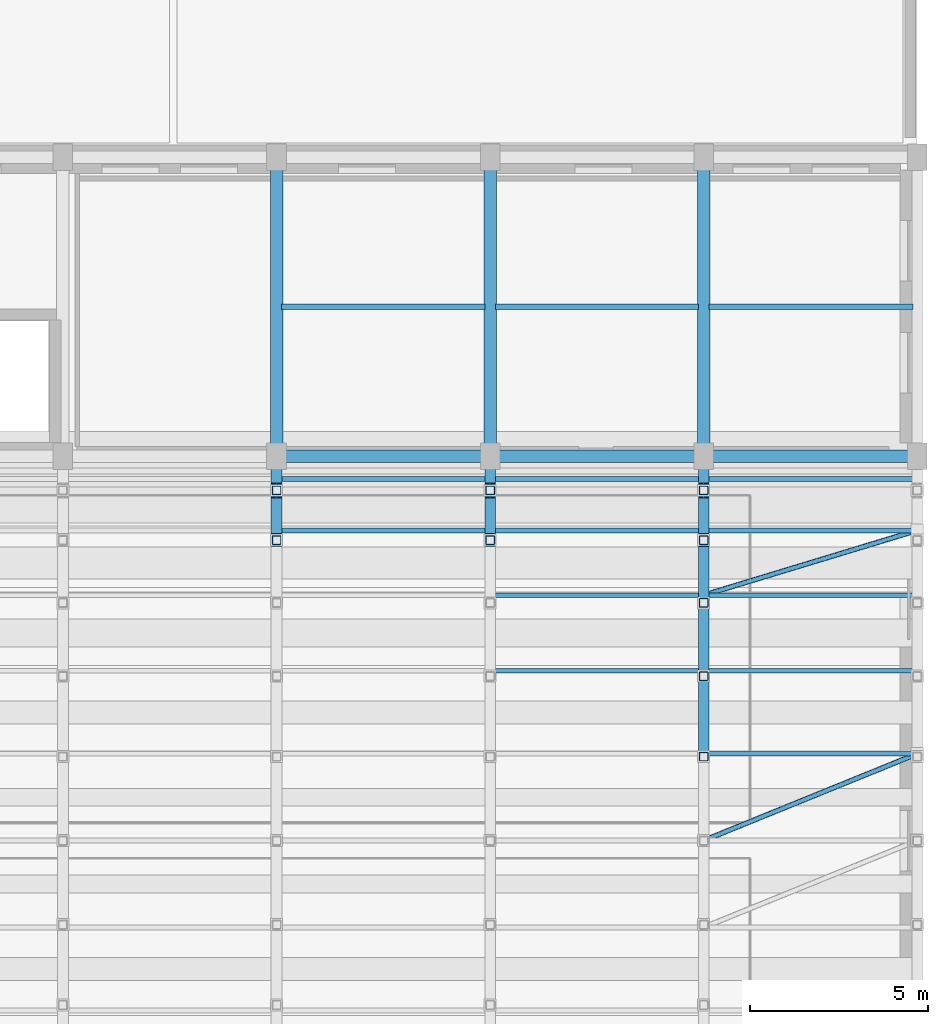
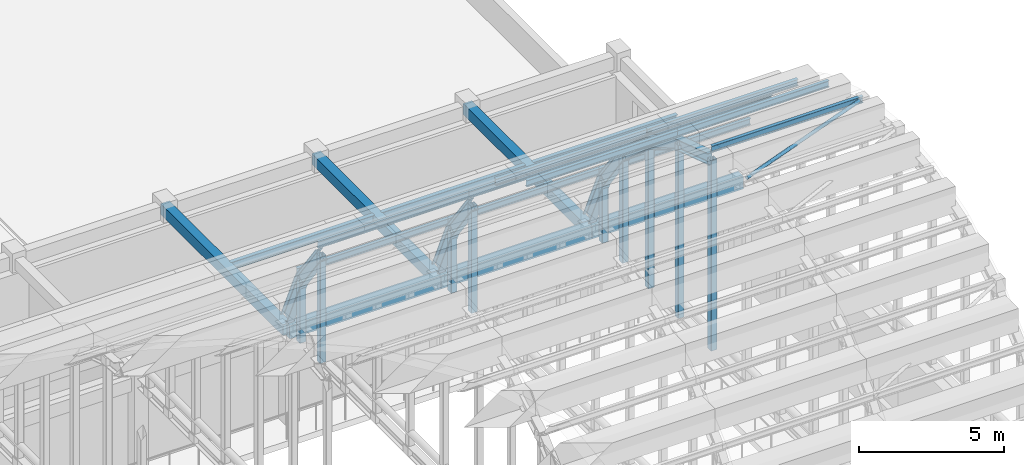
# One storey, part 10 of 46: 22 members, 18 beams.
"""IFC4 building model written with IfcOpenShell, lengths in metres."""

from ifc_helpers import new_model, si_unit, direction, frame, origin, origin_2d, place, context, subcontext, project, spatial, rectangle, hollow_rectangle, hollow_circle, i_section, extrude, material, material_profile, profile_set, type_object, element, save


model = new_model("IFC4")

# Units and contexts
model_context = context("Model", 3, precision=1e-05, world=origin(), true_north=direction((0.0, 1.0)))
body_context = subcontext(model_context, "Body", "Model", "MODEL_VIEW")
ifc_project = project(units=[si_unit("LENGTHUNIT", "METRE"), si_unit("AREAUNIT", "SQUARE_METRE"), si_unit("VOLUMEUNIT", "CUBIC_METRE"), si_unit("PLANEANGLEUNIT", "RADIAN"), si_unit("MASSUNIT", "GRAM", prefix="KILO")], contexts=[model_context])

# Site, building, storey
site_placement = place(None, origin())
site = spatial("IfcSite", under=ifc_project, at=site_placement, CompositionType="ELEMENT")
building_placement = place(site_placement, origin())
building = spatial("IfcBuilding", under=site, at=building_placement, Name="Tarnavel Promenade Courthouse", CompositionType="ELEMENT")
storey_placement = place(building_placement, frame((0.0, 0.0, 14.39990234375)))
storey = spatial("IfcBuildingStorey", under=building, at=storey_placement, Name="L04", CompositionType="ELEMENT", Elevation=14.39990234375)

# Beams
ifc_material_1 = material(Name="Concrete C40/50", Category="concrete")
ifc_material_profile_1 = material_profile(ifc_material_1, rectangle(XDim=0.35009765625, YDim=0.449951171875, at=origin_2d()), Name="RC 350x450")
ifc_profile_set_1 = profile_set([ifc_material_profile_1], Name="Concrete C40/50")
beam_type_1 = type_object("IfcBeamType", Name="Concrete C40/50 BM-RC-350x450 (RC 350x450)", PredefinedType="BEAM", material=ifc_profile_set_1)
for number, where, z_axis, x_axis, name in (
    (1, (144.0, 58.800048828125, 3.72998046875), (0.0, 1.0, 0.0), (-1.0, 0.0, 0.0), "L04 Transverse Girder 2126"),
    (2, (150.0, 58.800048828125, 3.72998046875), (0.0, 1.0, 0.0), (-1.0, 0.0, 0.0), "L04 Transverse Girder 2128"),
    (3, (156.0, 58.800048828125, 3.72998046875), (0.0, 1.0, 0.0), (-1.0, 0.0, 0.0), "L04 Transverse Girder 2130"),
):
    element("IfcBeam", number, at=place(storey_placement, frame(where, z_axis=z_axis, x_axis=x_axis)), inside=storey, type_object=beam_type_1, Name=name, PredefinedType="BEAM", context=body_context, shape_type="SweptSolid", body=[
        extrude(rectangle(XDim=0.35009765625, YDim=0.449951171875, at=origin_2d()), origin(), (0.0, 0.0, 1.0), 8.39990234375),
    ])
ifc_material_profile_2 = material_profile(ifc_material_1, rectangle(XDim=0.35009765625, YDim=0.550048828125, at=origin_2d()), Name="RC 350x550")
ifc_profile_set_2 = profile_set([ifc_material_profile_2], Name="Concrete C40/50")
beam_type_2 = type_object("IfcBeamType", Name="Concrete C40/50 BM-RC-350x550 (RC 350x550)", PredefinedType="BEAM", material=ifc_profile_set_2)
for number, where, z_axis, x_axis, name in (
    (4, (144.0, 58.800048828125, 3.68017578125), (1.0, 0.0, 0.0), (0.0, 1.0, 0.0), "L04 Primary Longitudinal Beam 2008"),
    (5, (150.0, 58.800048828125, 3.68017578125), (1.0, 0.0, 0.0), (0.0, 1.0, 0.0), "L04 Primary Longitudinal Beam 2009"),
    (6, (156.0, 58.800048828125, 3.68017578125), (1.0, 0.0, 0.0), (0.0, 1.0, 0.0), "L04 Primary Longitudinal Beam 2010"),
):
    element("IfcBeam", number, at=place(storey_placement, frame(where, z_axis=z_axis, x_axis=x_axis)), inside=storey, type_object=beam_type_2, Name=name, PredefinedType="BEAM", context=body_context, shape_type="SweptSolid", body=[
        extrude(rectangle(XDim=0.35009765625, YDim=0.550048828125, at=origin_2d()), origin(), (0.0, 0.0, 1.0), 6.0),
    ])
ifc_material_2 = material(Name="Steel S355J2", Category="steel")
ifc_material_profile_3 = material_profile(ifc_material_2, i_section(OverallWidth=0.300048828125, OverallDepth=0.449951171875, WebThickness=0.013916015625, FlangeThickness=0.02587890625, FilletRadius=0.027099609375, at=origin_2d()), Name="HEB 450")
ifc_profile_set_3 = profile_set([ifc_material_profile_3], Name="Steel S355J2")
beam_type_3 = type_object("IfcBeamType", Name="Steel S355J2 BM-AR-HEB450 (HEB 450)", PredefinedType="T_BEAM", material=ifc_profile_set_3)
for number, where, z_axis, x_axis, name in (
    (7, (144.0, 56.43994140625, 8.291015625), (0.0, 0.587523453946, -0.809207137304), (-1.0, 0.0, 0.0), "V1 Barrel Vault Arch Rib 05 Chord 11"),
    (8, (144.0, 57.8349609375, 6.36962890625), (0.0, 0.406453266448, -0.91367157239), (-1.0, 0.0, 0.0), "V1 Barrel Vault Arch Rib 05 Chord 12"),
    (9, (150.0, 56.43994140625, 8.291015625), (0.0, 0.587523453946, -0.809207137304), (-1.0, 0.0, 0.0), "V1 Barrel Vault Arch Rib 06 Chord 11"),
    (10, (150.0, 57.8349609375, 6.36962890625), (0.0, 0.406453266448, -0.91367157239), (-1.0, 0.0, 0.0), "V1 Barrel Vault Arch Rib 06 Chord 12"),
    (11, (156.0, 50.361328125, 11.8017578125), (0.0, 0.951041624123, -0.309062824012), (-1.0, 0.0, 0.0), "V1 Barrel Vault Arch Rib 07 Chord 08"),
    (12, (156.0, 52.61962890625, 11.06787109375), (0.0, 0.86595611672, -0.500119989518), (-1.0, 0.0, 0.0), "V1 Barrel Vault Arch Rib 07 Chord 09"),
    (13, (156.0, 54.67578125, 9.88037109375), (0.0, 0.742956629711, -0.669339559842), (-1.0, 0.0, 0.0), "V1 Barrel Vault Arch Rib 07 Chord 10"),
    (14, (156.0, 56.43994140625, 8.291015625), (0.0, 0.587523453946, -0.809207137304), (-1.0, 0.0, 0.0), "V1 Barrel Vault Arch Rib 07 Chord 11"),
    (15, (156.0, 57.8349609375, 6.36962890625), (0.0, 0.406453266448, -0.91367157239), (-1.0, 0.0, 0.0), "V1 Barrel Vault Arch Rib 07 Chord 12"),
):
    element("IfcBeam", number, at=place(storey_placement, frame(where, z_axis=z_axis, x_axis=x_axis)), inside=storey, type_object=beam_type_3, Name=name, PredefinedType="T_BEAM", context=body_context, shape_type="SweptSolid", body=[
        extrude(i_section(OverallWidth=0.300048828125, OverallDepth=0.449951171875, WebThickness=0.013916015625, FlangeThickness=0.02587890625, FilletRadius=0.027099609375, at=origin_2d()), origin(), (0.0, 0.0, 1.0), 2.37451171875),
    ])
ifc_material_profile_4 = material_profile(ifc_material_2, i_section(OverallWidth=0.159912109375, OverallDepth=0.330078125, WebThickness=0.007568359375, FlangeThickness=0.011474609375, FilletRadius=0.01806640625, at=origin_2d()), Name="IPE 330")
ifc_profile_set_4 = profile_set([ifc_material_profile_4], Name="Steel S355J2")
beam_type_4 = type_object("IfcBeamType", Name="Steel S355J2 BM-ST-IPE330 (IPE 330)", PredefinedType="JOIST", material=ifc_profile_set_4)
for number, where, z_axis, x_axis, name in (
    (16, (144.14501953125, 63.0, 3.7900390625), (1.0, 0.0, 0.0), (0.0, 1.0, 0.0), "L04 Secondary Floor Rib 2202"),
    (17, (150.14501953125, 63.0, 3.7900390625), (1.0, 0.0, 0.0), (0.0, 1.0, 0.0), "L04 Secondary Floor Rib 2203"),
):
    element("IfcBeam", number, at=place(storey_placement, frame(where, z_axis=z_axis, x_axis=x_axis)), inside=storey, type_object=beam_type_4, Name=name, PredefinedType="JOIST", context=body_context, shape_type="SweptSolid", body=[
        extrude(i_section(OverallWidth=0.159912109375, OverallDepth=0.330078125, WebThickness=0.007568359375, FlangeThickness=0.011474609375, FilletRadius=0.01806640625, at=origin_2d()), origin(), (0.0, 0.0, 1.0), 5.7099609375),
    ])
beam_placement = place(storey_placement, frame((156.14501953125, 63.0, 3.7900390625), z_axis=(1.0, 0.0, 0.0), x_axis=(0.0, 1.0, 0.0)))
element("IfcBeam", 18, at=beam_placement, inside=storey, type_object=beam_type_4, Name="L04 Secondary Floor Rib 2204", PredefinedType="JOIST", context=body_context, shape_type="SweptSolid", body=[
    extrude(i_section(OverallWidth=0.159912109375, OverallDepth=0.330078125, WebThickness=0.007568359375, FlangeThickness=0.011474609375, FilletRadius=0.01806640625, at=origin_2d()), origin(), (0.0, 0.0, 1.0), 5.73486328125),
])

# Members
ifc_material_profile_5 = material_profile(ifc_material_2, hollow_circle(Radius=0.06982421875, WallThickness=0.008056640625, at=origin_2d()), Name="CHS 139.7x8")
ifc_profile_set_5 = profile_set([ifc_material_profile_5], Name="Steel S355J2")
member_type_1 = type_object("IfcMemberType", Name="Steel S355J2 MEM-BR-CHS140 (CHS 139.7x8)", PredefinedType="BRACE", material=ifc_profile_set_5)
member_1_placement = place(storey_placement, frame((156.0, 48.0, 12.420166015625), z_axis=(0.925700122117, 0.376184321828, -0.039555529618), x_axis=(-0.376478964134, 0.926425166737, 0.0)))
element("IfcMember", 19, at=member_1_placement, inside=storey, type_object=member_type_1, Name="V1 Barrel Vault Roof Brace 07-06", PredefinedType="BRACE", context=body_context, shape_type="SweptSolid", body=[
    extrude(hollow_circle(Radius=0.06982421875, WallThickness=0.008056640625, at=origin_2d()), origin(), (0.0, 0.0, 1.0), 6.3017578125),
])
member_2_placement = place(storey_placement, frame((156.0, 54.893310546875, 10.179443359375), z_axis=(0.925695313139, 0.281068458115, -0.253157478825), x_axis=(-0.290532531252, 0.95686511499, 0.0)))
element("IfcMember", 20, at=member_2_placement, inside=storey, type_object=member_type_1, Name="V1 Barrel Vault Roof Brace 07-09", PredefinedType="BRACE", context=body_context, shape_type="SweptSolid", body=[
    extrude(hollow_circle(Radius=0.06982421875, WallThickness=0.008056640625, at=origin_2d()), origin(), (0.0, 0.0, 1.0), 6.481689453125),
])
ifc_material_profile_6 = material_profile(ifc_material_2, i_section(OverallWidth=0.135009765625, OverallDepth=0.27001953125, WebThickness=0.006591796875, FlangeThickness=0.01025390625, FilletRadius=0.014892578125, at=origin_2d()), Name="IPE 270")
ifc_profile_set_6 = profile_set([ifc_material_profile_6], Name="Steel S355J2")
member_type_2 = type_object("IfcMemberType", Name="Steel S355J2 MEM-PUR-IPE270 (IPE 270)", PredefinedType="PURLIN", material=ifc_profile_set_6)
for number, where, z_axis, x_axis, name in (
    (21, (144.0, 56.715087890625, 8.53857421875), (1.0, 0.0, 0.0), (0.0, 1.0, 0.0), "V1 Barrel Vault Purlin 05-10"),
    (22, (144.0, 58.155517578125, 6.554443359375), (1.0, 0.0, 0.0), (0.0, 1.0, 0.0), "V1 Barrel Vault Purlin 05-11"),
    (23, (150.0, 52.770263671875, 11.40576171875), (1.0, 0.0, 0.0), (0.0, 1.0, 0.0), "V1 Barrel Vault Purlin 06-08"),
    (24, (150.0, 54.893310546875, 10.179443359375), (1.0, 0.0, 0.0), (0.0, 1.0, 0.0), "V1 Barrel Vault Purlin 06-09"),
    (25, (150.0, 56.715087890625, 8.53857421875), (1.0, 0.0, 0.0), (0.0, 1.0, 0.0), "V1 Barrel Vault Purlin 06-10"),
    (26, (150.0, 58.155517578125, 6.554443359375), (1.0, 0.0, 0.0), (0.0, 1.0, 0.0), "V1 Barrel Vault Purlin 06-11"),
    (27, (156.0, 50.4384765625, 12.163818359375), (1.0, 0.0, 0.0), (0.0, 1.0, 0.0), "V1 Barrel Vault Purlin 07-07"),
    (28, (156.0, 52.770263671875, 11.40576171875), (1.0, 0.0, 0.0), (0.0, 1.0, 0.0), "V1 Barrel Vault Purlin 07-08"),
    (29, (156.0, 54.893310546875, 10.179443359375), (1.0, 0.0, 0.0), (0.0, 1.0, 0.0), "V1 Barrel Vault Purlin 07-09"),
    (30, (156.0, 56.715087890625, 8.53857421875), (1.0, 0.0, 0.0), (0.0, 1.0, 0.0), "V1 Barrel Vault Purlin 07-10"),
    (31, (156.0, 58.155517578125, 6.554443359375), (1.0, 0.0, 0.0), (0.0, 1.0, 0.0), "V1 Barrel Vault Purlin 07-11"),
):
    element("IfcMember", number, at=place(storey_placement, frame(where, z_axis=z_axis, x_axis=x_axis)), inside=storey, type_object=member_type_2, Name=name, PredefinedType="PURLIN", context=body_context, shape_type="SweptSolid", body=[
        extrude(i_section(OverallWidth=0.135009765625, OverallDepth=0.27001953125, WebThickness=0.006591796875, FlangeThickness=0.01025390625, FilletRadius=0.014892578125, at=origin_2d()), origin(), (0.0, 0.0, 1.0), 6.0),
    ])
ifc_material_profile_7 = material_profile(ifc_material_2, hollow_rectangle(XDim=0.25, YDim=0.25, WallThickness=0.012451171875, InnerFilletRadius=0.012451171875, OuterFilletRadius=0.02490234375, at=origin_2d()), Name="SHS 250x250x12.5")
ifc_profile_set_7 = profile_set([ifc_material_profile_7], Name="Steel S355J2")
member_type_3 = type_object("IfcMemberType", Name="Steel S355J2 MEM-STR-SHS250 (SHS 250x250x12.5)", PredefinedType="STRUT", material=ifc_profile_set_7)
member_3_placement = place(storey_placement, frame((144.0, 56.43994140625, 3.820068359375), z_axis=(0.0, 0.0, 1.0), x_axis=(1.0, 0.0, 0.0)))
element("IfcMember", 32, at=member_3_placement, inside=storey, type_object=member_type_3, Name="V1 Vault Arch Web Strut 05-10", PredefinedType="STRUT", context=body_context, shape_type="SweptSolid", body=[
    extrude(hollow_rectangle(XDim=0.25, YDim=0.25, WallThickness=0.012451171875, InnerFilletRadius=0.012451171875, OuterFilletRadius=0.02490234375, at=origin_2d()), origin(), (0.0, 0.0, 1.0), 4.470947265625),
])
member_4_placement = place(storey_placement, frame((144.0, 57.8349609375, 3.820068359375), z_axis=(0.0, 0.0, 1.0), x_axis=(1.0, 0.0, 0.0)))
element("IfcMember", 33, at=member_4_placement, inside=storey, type_object=member_type_3, Name="V1 Vault Arch Web Strut 05-11", PredefinedType="STRUT", context=body_context, shape_type="SweptSolid", body=[
    extrude(hollow_rectangle(XDim=0.25, YDim=0.25, WallThickness=0.012451171875, InnerFilletRadius=0.012451171875, OuterFilletRadius=0.02490234375, at=origin_2d()), origin(), (0.0, 0.0, 1.0), 2.549560546875),
])
member_5_placement = place(storey_placement, frame((150.0, 56.43994140625, 3.820068359375), z_axis=(0.0, 0.0, 1.0), x_axis=(1.0, 0.0, 0.0)))
element("IfcMember", 34, at=member_5_placement, inside=storey, type_object=member_type_3, Name="V1 Vault Arch Web Strut 06-10", PredefinedType="STRUT", context=body_context, shape_type="SweptSolid", body=[
    extrude(hollow_rectangle(XDim=0.25, YDim=0.25, WallThickness=0.012451171875, InnerFilletRadius=0.012451171875, OuterFilletRadius=0.02490234375, at=origin_2d()), origin(), (0.0, 0.0, 1.0), 4.470947265625),
])
member_6_placement = place(storey_placement, frame((150.0, 57.8349609375, 3.820068359375), z_axis=(0.0, 0.0, 1.0), x_axis=(1.0, 0.0, 0.0)))
element("IfcMember", 35, at=member_6_placement, inside=storey, type_object=member_type_3, Name="V1 Vault Arch Web Strut 06-11", PredefinedType="STRUT", context=body_context, shape_type="SweptSolid", body=[
    extrude(hollow_rectangle(XDim=0.25, YDim=0.25, WallThickness=0.012451171875, InnerFilletRadius=0.012451171875, OuterFilletRadius=0.02490234375, at=origin_2d()), origin(), (0.0, 0.0, 1.0), 2.549560546875),
])
member_7_placement = place(storey_placement, frame((156.0, 50.361328125, 3.820068359375), z_axis=(0.0, 0.0, 1.0), x_axis=(1.0, 0.0, 0.0)))
element("IfcMember", 36, at=member_7_placement, inside=storey, type_object=member_type_3, Name="V1 Vault Arch Web Strut 07-07", PredefinedType="STRUT", context=body_context, shape_type="SweptSolid", body=[
    extrude(hollow_rectangle(XDim=0.25, YDim=0.25, WallThickness=0.012451171875, InnerFilletRadius=0.012451171875, OuterFilletRadius=0.02490234375, at=origin_2d()), origin(), (0.0, 0.0, 1.0), 7.981689453125),
])
member_8_placement = place(storey_placement, frame((156.0, 52.61962890625, 3.820068359375), z_axis=(0.0, 0.0, 1.0), x_axis=(1.0, 0.0, 0.0)))
element("IfcMember", 37, at=member_8_placement, inside=storey, type_object=member_type_3, Name="V1 Vault Arch Web Strut 07-08", PredefinedType="STRUT", context=body_context, shape_type="SweptSolid", body=[
    extrude(hollow_rectangle(XDim=0.25, YDim=0.25, WallThickness=0.012451171875, InnerFilletRadius=0.012451171875, OuterFilletRadius=0.02490234375, at=origin_2d()), origin(), (0.0, 0.0, 1.0), 7.247802734375),
])
member_9_placement = place(storey_placement, frame((156.0, 54.67578125, 3.820068359375), z_axis=(0.0, 0.0, 1.0), x_axis=(1.0, 0.0, 0.0)))
element("IfcMember", 38, at=member_9_placement, inside=storey, type_object=member_type_3, Name="V1 Vault Arch Web Strut 07-09", PredefinedType="STRUT", context=body_context, shape_type="SweptSolid", body=[
    extrude(hollow_rectangle(XDim=0.25, YDim=0.25, WallThickness=0.012451171875, InnerFilletRadius=0.012451171875, OuterFilletRadius=0.02490234375, at=origin_2d()), origin(), (0.0, 0.0, 1.0), 6.060302734375),
])
member_10_placement = place(storey_placement, frame((156.0, 56.43994140625, 3.820068359375), z_axis=(0.0, 0.0, 1.0), x_axis=(1.0, 0.0, 0.0)))
element("IfcMember", 39, at=member_10_placement, inside=storey, type_object=member_type_3, Name="V1 Vault Arch Web Strut 07-10", PredefinedType="STRUT", context=body_context, shape_type="SweptSolid", body=[
    extrude(hollow_rectangle(XDim=0.25, YDim=0.25, WallThickness=0.012451171875, InnerFilletRadius=0.012451171875, OuterFilletRadius=0.02490234375, at=origin_2d()), origin(), (0.0, 0.0, 1.0), 4.470947265625),
])
member_11_placement = place(storey_placement, frame((156.0, 57.8349609375, 3.820068359375), z_axis=(0.0, 0.0, 1.0), x_axis=(1.0, 0.0, 0.0)))
element("IfcMember", 40, at=member_11_placement, inside=storey, type_object=member_type_3, Name="V1 Vault Arch Web Strut 07-11", PredefinedType="STRUT", context=body_context, shape_type="SweptSolid", body=[
    extrude(hollow_rectangle(XDim=0.25, YDim=0.25, WallThickness=0.012451171875, InnerFilletRadius=0.012451171875, OuterFilletRadius=0.02490234375, at=origin_2d()), origin(), (0.0, 0.0, 1.0), 2.549560546875),
])

save(model, "model.ifc")
